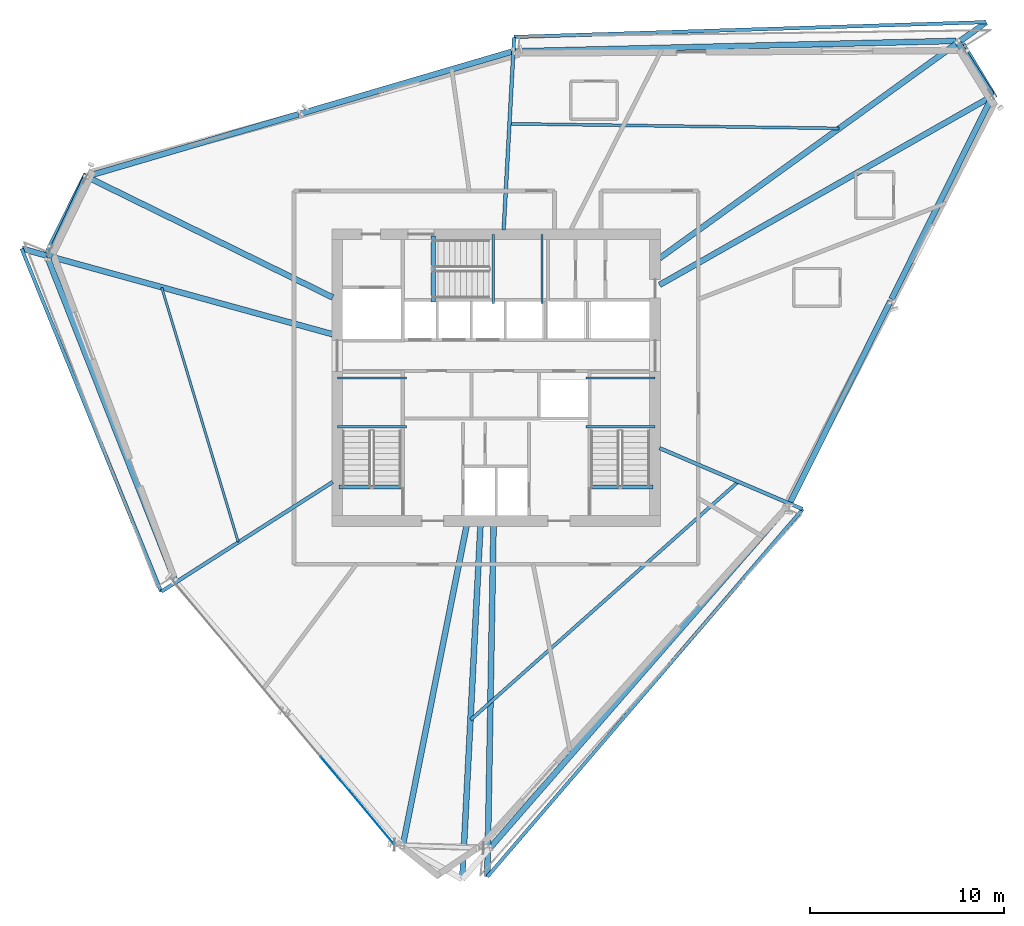
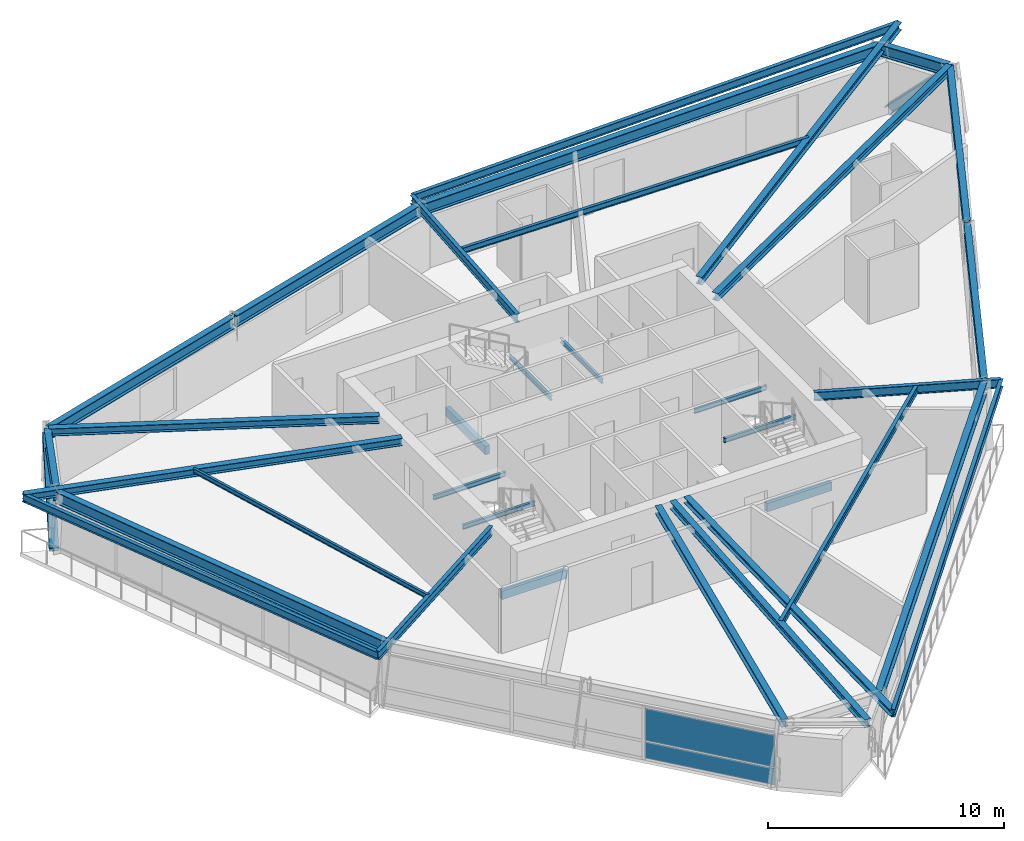
# One storey, part 5 of 15: 34 beams, 2 members, 2 plates, 1 element without a shape of its own.
"""IFC4 building model written with IfcOpenShell, lengths in metres."""

from ifc_helpers import new_model, si_unit, direction, frame, origin, origin_2d, place, context, subcontext, project, spatial, rectangle, i_section, extrude, source, transform, mapped, material, material_profile, profile_set, type_object, element, aggregate, save


model = new_model("IFC4")

# Units and contexts
model_context = context("Model", 3, precision=1e-05, world=origin(), true_north=direction((0.0, 1.0)))
body_context = subcontext(model_context, "Body", "Model", "MODEL_VIEW")
ifc_project = project(units=[si_unit("LENGTHUNIT", "METRE"), si_unit("AREAUNIT", "SQUARE_METRE"), si_unit("VOLUMEUNIT", "CUBIC_METRE"), si_unit("PLANEANGLEUNIT", "RADIAN"), si_unit("MASSUNIT", "GRAM", prefix="KILO")], contexts=[model_context])

# Site, building, storey
site_placement = place(None, origin())
site = spatial("IfcSite", under=ifc_project, at=site_placement, CompositionType="ELEMENT")
building_placement = place(site_placement, origin())
building = spatial("IfcBuilding", under=site, at=building_placement, Name="Olszyna Solenne Hotel", CompositionType="ELEMENT")
storey_placement = place(building_placement, frame((0.0, 0.0, 164.35009765625)))
storey = spatial("IfcBuildingStorey", under=building, at=storey_placement, Name="L43", CompositionType="ELEMENT", Elevation=164.35009765625)

# Beams
ifc_material_1 = material(Name="Steel S355J2", Category="steel")
ifc_material_profile_1 = material_profile(ifc_material_1, i_section(OverallWidth=0.300048828125, OverallDepth=0.389892578125, WebThickness=0.010986328125, FlangeThickness=0.01904296875, at=origin_2d()), Name="HEA 400", Category="load-bearing")
ifc_profile_set_1 = profile_set([ifc_material_profile_1], Name="Steel S355J2")
beam_type_1 = type_object("IfcBeamType", Name="BM-G2", PredefinedType="BEAM", material=ifc_profile_set_1)
shared_shape_1 = source(origin(), body_context, "Body", "SweptSolid", [
    extrude(i_section(OverallWidth=0.300048828125, OverallDepth=0.389892578125, WebThickness=0.010986328125, FlangeThickness=0.01904296875, at=origin_2d()), origin(), (0.0, 0.0, 1.0), 16.580810546875),
])
beam_1_placement = place(storey_placement, frame((13.6123046875, 33.22900390625, 3.135009765625), z_axis=(0.964132796077, -0.265420329909, 0.0), x_axis=(0.265420329909, 0.964132796077, 0.0)))
element("IfcBeam", 1, at=beam_1_placement, inside=storey, type_object=beam_type_1, Name="Radial floor girder BM-G2 B-L43-1290", PredefinedType="BEAM", context=body_context, shape_type="MappedRepresentation", body=[
    mapped(shared_shape_1, transform((0.0, 0.0, 0.0), x_axis=(1.0, 0.0, 0.0), y_axis=(0.0, 1.0, 0.0), z_axis=(0.0, 0.0, 1.0), scale=1.0)),
])
ifc_material_profile_2 = material_profile(ifc_material_1, i_section(OverallWidth=0.300048828125, OverallDepth=0.60009765625, WebThickness=0.015380859375, FlangeThickness=0.030029296875, at=origin_2d()), Name="HEB 600", Category="load-bearing")
ifc_profile_set_2 = profile_set([ifc_material_profile_2], Name="Steel S355J2")
beam_type_2 = type_object("IfcBeamType", Name="BM-S2", PredefinedType="BEAM", material=ifc_profile_set_2)
shared_shape_2 = source(origin(), body_context, "Body", "SweptSolid", [
    extrude(i_section(OverallWidth=0.300048828125, OverallDepth=0.60009765625, WebThickness=0.015380859375, FlangeThickness=0.030029296875, at=origin_2d()), origin(), (0.0, 0.0, 1.0), 3.247314453125),
])
beam_2_placement = place(storey_placement, frame((63.494140625, 41.1328125, 3.02978515625), z_axis=(-0.538003628885, 0.842942521947, 0.0), x_axis=(-0.842942521947, -0.538003628885, 0.0)))
element("IfcBeam", 2, at=beam_2_placement, inside=storey, type_object=beam_type_2, Name="Perimeter spandrel beam BM-S2 B-L43-1274", PredefinedType="BEAM", context=body_context, shape_type="MappedRepresentation", body=[
    mapped(shared_shape_2, transform((0.0, 0.0, 0.0), x_axis=(1.0, 0.0, 0.0), y_axis=(0.0, 1.0, 0.0), z_axis=(0.0, 0.0, 1.0), scale=1.0)),
])
shared_shape_3 = source(origin(), body_context, "Body", "SweptSolid", [
    extrude(i_section(OverallWidth=0.300048828125, OverallDepth=0.60009765625, WebThickness=0.015380859375, FlangeThickness=0.030029296875, at=origin_2d()), origin(), (0.0, 0.0, 1.0), 22.742919921875),
])
beam_3_placement = place(storey_placement, frame((61.65478515625, 43.919189453125, 3.02978515625), z_axis=(-0.999721090207, -0.023616557661, 0.0), x_axis=(0.023616557661, -0.999721090207, 0.0)))
element("IfcBeam", 3, at=beam_3_placement, inside=storey, type_object=beam_type_2, Name="Perimeter spandrel beam BM-S2 B-L43-1275", PredefinedType="BEAM", context=body_context, shape_type="MappedRepresentation", body=[
    mapped(shared_shape_3, transform((0.0, 0.0, 0.0), x_axis=(1.0, 0.0, 0.0), y_axis=(0.0, 1.0, 0.0), z_axis=(0.0, 0.0, 1.0), scale=1.0)),
])
shared_shape_4 = source(origin(), body_context, "Body", "SweptSolid", [
    extrude(i_section(OverallWidth=0.300048828125, OverallDepth=0.60009765625, WebThickness=0.015380859375, FlangeThickness=0.030029296875, at=origin_2d()), origin(), (0.0, 0.0, 1.0), 11.3115234375),
])
beam_4_placement = place(storey_placement, frame((38.800537109375, 43.364013671875, 3.02978515625), z_axis=(-0.959538195825, -0.281578498386, 0.0), x_axis=(0.281578498386, -0.959538195825, 0.0)))
element("IfcBeam", 4, at=beam_4_placement, inside=storey, type_object=beam_type_2, Name="Perimeter spandrel beam BM-S2 B-L43-1276", PredefinedType="BEAM", context=body_context, shape_type="MappedRepresentation", body=[
    mapped(shared_shape_4, transform((0.0, 0.0, 0.0), x_axis=(1.0, 0.0, 0.0), y_axis=(0.0, 1.0, 0.0), z_axis=(0.0, 0.0, 1.0), scale=1.0)),
])
shared_shape_5 = source(origin(), body_context, "Body", "SweptSolid", [
    extrude(i_section(OverallWidth=0.300048828125, OverallDepth=0.60009765625, WebThickness=0.015380859375, FlangeThickness=0.030029296875, at=origin_2d()), origin(), (0.0, 0.0, 1.0), 11.311279296875),
])
beam_5_placement = place(storey_placement, frame((27.83154296875, 40.14501953125, 3.02978515625), z_axis=(-0.959544027203, -0.281558625973, 0.0), x_axis=(0.281558625973, -0.959544027203, 0.0)))
element("IfcBeam", 5, at=beam_5_placement, inside=storey, type_object=beam_type_2, Name="Perimeter spandrel beam BM-S2 B-L43-1277", PredefinedType="BEAM", context=body_context, shape_type="MappedRepresentation", body=[
    mapped(shared_shape_5, transform((0.0, 0.0, 0.0), x_axis=(1.0, 0.0, 0.0), y_axis=(0.0, 1.0, 0.0), z_axis=(0.0, 0.0, 1.0), scale=1.0)),
])
shared_shape_6 = source(origin(), body_context, "Body", "SweptSolid", [
    extrude(i_section(OverallWidth=0.300048828125, OverallDepth=0.60009765625, WebThickness=0.015380859375, FlangeThickness=0.030029296875, at=origin_2d()), origin(), (0.0, 0.0, 1.0), 4.54736328125),
])
beam_6_placement = place(storey_placement, frame((16.89501953125, 36.888916015625, 3.02978515625), z_axis=(-0.422585646283, -0.90632299516, 0.0), x_axis=(0.90632299516, -0.422585646283, 0.0)))
element("IfcBeam", 6, at=beam_6_placement, inside=storey, type_object=beam_type_2, Name="Perimeter spandrel beam BM-S2 B-L43-1278", PredefinedType="BEAM", context=body_context, shape_type="MappedRepresentation", body=[
    mapped(shared_shape_6, transform((0.0, 0.0, 0.0), x_axis=(1.0, 0.0, 0.0), y_axis=(0.0, 1.0, 0.0), z_axis=(0.0, 0.0, 1.0), scale=1.0)),
])
shared_shape_7 = source(origin(), body_context, "Body", "SweptSolid", [
    extrude(i_section(OverallWidth=0.300048828125, OverallDepth=0.60009765625, WebThickness=0.015380859375, FlangeThickness=0.030029296875, at=origin_2d()), origin(), (0.0, 0.0, 1.0), 17.770263671875),
])
beam_7_placement = place(storey_placement, frame((14.97021484375, 32.657470703125, 3.02978515625), z_axis=(0.367277265084, -0.930111504365, 0.0), x_axis=(0.930111504365, 0.367277265084, 0.0)))
element("IfcBeam", 7, at=beam_7_placement, inside=storey, type_object=beam_type_2, Name="Perimeter spandrel beam BM-S2 B-L43-1279", PredefinedType="BEAM", context=body_context, shape_type="MappedRepresentation", body=[
    mapped(shared_shape_7, transform((0.0, 0.0, 0.0), x_axis=(1.0, 0.0, 0.0), y_axis=(0.0, 1.0, 0.0), z_axis=(0.0, 0.0, 1.0), scale=1.0)),
])
shared_shape_8 = source(origin(), body_context, "Body", "SweptSolid", [
    extrude(i_section(OverallWidth=0.300048828125, OverallDepth=0.60009765625, WebThickness=0.015380859375, FlangeThickness=0.030029296875, at=origin_2d()), origin(), (0.0, 0.0, 1.0), 23.320556640625),
])
beam_8_placement = place(storey_placement, frame((37.73193359375, 2.464599609375, 3.02978515625), z_axis=(0.656911125072, 0.753968019055, 0.0), x_axis=(-0.753968019055, 0.656911125072, 0.0)))
element("IfcBeam", 8, at=beam_8_placement, inside=storey, type_object=beam_type_2, Name="Perimeter spandrel beam BM-S2 B-L43-1283", PredefinedType="BEAM", context=body_context, shape_type="MappedRepresentation", body=[
    mapped(shared_shape_8, transform((0.0, 0.0, 0.0), x_axis=(1.0, 0.0, 0.0), y_axis=(0.0, 1.0, 0.0), z_axis=(0.0, 0.0, 1.0), scale=1.0)),
])
shared_shape_9 = source(origin(), body_context, "Body", "SweptSolid", [
    extrude(i_section(OverallWidth=0.300048828125, OverallDepth=0.60009765625, WebThickness=0.015380859375, FlangeThickness=0.030029296875, at=origin_2d()), origin(), (0.0, 0.0, 1.0), 11.60009765625),
])
beam_9_placement = place(storey_placement, frame((53.11767578125, 20.146484375, 3.02978515625), z_axis=(0.445192011382, 0.895435130538, 0.0), x_axis=(-0.895435130538, 0.445192011382, 0.0)))
element("IfcBeam", 9, at=beam_9_placement, inside=storey, type_object=beam_type_2, Name="Perimeter spandrel beam BM-S2 B-L43-1284", PredefinedType="BEAM", context=body_context, shape_type="MappedRepresentation", body=[
    mapped(shared_shape_9, transform((0.0, 0.0, 0.0), x_axis=(1.0, 0.0, 0.0), y_axis=(0.0, 1.0, 0.0), z_axis=(0.0, 0.0, 1.0), scale=1.0)),
])
shared_shape_10 = source(origin(), body_context, "Body", "SweptSolid", [
    extrude(i_section(OverallWidth=0.300048828125, OverallDepth=0.60009765625, WebThickness=0.015380859375, FlangeThickness=0.030029296875, at=origin_2d()), origin(), (0.0, 0.0, 1.0), 11.600341796875),
])
beam_10_placement = place(storey_placement, frame((58.33544921875, 30.64111328125, 3.02978515625), z_axis=(0.445183621619, 0.895439301707, 0.0), x_axis=(-0.895439301707, 0.445183621619, 0.0)))
element("IfcBeam", 10, at=beam_10_placement, inside=storey, type_object=beam_type_2, Name="Perimeter spandrel beam BM-S2 B-L43-1285", PredefinedType="BEAM", context=body_context, shape_type="MappedRepresentation", body=[
    mapped(shared_shape_10, transform((0.0, 0.0, 0.0), x_axis=(1.0, 0.0, 0.0), y_axis=(0.0, 1.0, 0.0), z_axis=(0.0, 0.0, 1.0), scale=1.0)),
])
shared_shape_11 = source(origin(), body_context, "Body", "SweptSolid", [
    extrude(i_section(OverallWidth=0.300048828125, OverallDepth=0.389892578125, WebThickness=0.010986328125, FlangeThickness=0.01904296875, at=origin_2d()), origin(), (0.0, 0.0, 1.0), 19.623291015625),
])
beam_11_placement = place(storey_placement, frame((63.474365234375, 41.052490234375, 3.135009765625), z_axis=(-0.869774818977, -0.493448846664, 0.0), x_axis=(0.493448846664, -0.869774818977, 0.0)))
element("IfcBeam", 11, at=beam_11_placement, inside=storey, type_object=beam_type_1, Name="Radial floor girder BM-G2 B-L43-1286", PredefinedType="BEAM", context=body_context, shape_type="MappedRepresentation", body=[
    mapped(shared_shape_11, transform((0.0, 0.0, 0.0), x_axis=(1.0, 0.0, 0.0), y_axis=(0.0, 1.0, 0.0), z_axis=(0.0, 0.0, 1.0), scale=1.0)),
])
shared_shape_12 = source(origin(), body_context, "Body", "SweptSolid", [
    extrude(i_section(OverallWidth=0.300048828125, OverallDepth=0.389892578125, WebThickness=0.010986328125, FlangeThickness=0.01904296875, at=origin_2d()), origin(), (0.0, 0.0, 1.0), 20.710693359375),
])
beam_12_placement = place(storey_placement, frame((63.195068359375, 44.874267578125, 3.135009765625), z_axis=(-0.810466248011, -0.585785336821, 0.0), x_axis=(0.585785336821, -0.810466248011, 0.0)))
element("IfcBeam", 12, at=beam_12_placement, inside=storey, type_object=beam_type_1, Name="Radial floor girder BM-G2 B-L43-1287", PredefinedType="BEAM", context=body_context, shape_type="MappedRepresentation", body=[
    mapped(shared_shape_12, transform((0.0, 0.0, 0.0), x_axis=(1.0, 0.0, 0.0), y_axis=(0.0, 1.0, 0.0), z_axis=(0.0, 0.0, 1.0), scale=1.0)),
])
ifc_material_profile_3 = material_profile(ifc_material_1, i_section(OverallWidth=0.18994140625, OverallDepth=0.449951171875, WebThickness=0.009521484375, FlangeThickness=0.0146484375, at=origin_2d()), Name="IPE 450", Category="load-bearing")
ifc_profile_set_3 = profile_set([ifc_material_profile_3], Name="Steel S355J2")
beam_type_3 = type_object("IfcBeamType", Name="BM-F4", PredefinedType="BEAM", material=ifc_profile_set_3)
shared_shape_13 = source(origin(), body_context, "Body", "SweptSolid", [
    extrude(i_section(OverallWidth=0.18994140625, OverallDepth=0.449951171875, WebThickness=0.009521484375, FlangeThickness=0.0146484375, at=origin_2d()), origin(), (0.0, 0.0, 1.0), 9.91845703125),
])
beam_13_placement = place(storey_placement, frame((38.927734375, 44.10400390625, 3.10498046875), z_axis=(-0.054349369754, -0.998521980733, 0.0), x_axis=(0.998521980733, -0.054349369754, 0.0)))
element("IfcBeam", 13, at=beam_13_placement, inside=storey, type_object=beam_type_3, Name="Radial floor girder BM-F4 B-L43-1288", PredefinedType="BEAM", context=body_context, shape_type="MappedRepresentation", body=[
    mapped(shared_shape_13, transform((0.0, 0.0, 0.0), x_axis=(1.0, 0.0, 0.0), y_axis=(0.0, 1.0, 0.0), z_axis=(0.0, 0.0, 1.0), scale=1.0)),
])
shared_shape_14 = source(origin(), body_context, "Body", "SweptSolid", [
    extrude(i_section(OverallWidth=0.300048828125, OverallDepth=0.389892578125, WebThickness=0.010986328125, FlangeThickness=0.01904296875, at=origin_2d()), origin(), (0.0, 0.0, 1.0), 14.058349609375),
])
beam_14_placement = place(storey_placement, frame((16.97412109375, 36.916748046875, 3.135009765625), z_axis=(0.897753777522, -0.440497621952, 0.0), x_axis=(0.440497621952, 0.897753777522, 0.0)))
element("IfcBeam", 14, at=beam_14_placement, inside=storey, type_object=beam_type_1, Name="Radial floor girder BM-G2 B-L43-1289", PredefinedType="BEAM", context=body_context, shape_type="MappedRepresentation", body=[
    mapped(shared_shape_14, transform((0.0, 0.0, 0.0), x_axis=(1.0, 0.0, 0.0), y_axis=(0.0, 1.0, 0.0), z_axis=(0.0, 0.0, 1.0), scale=1.0)),
])
shared_shape_15 = source(origin(), body_context, "Body", "SweptSolid", [
    extrude(i_section(OverallWidth=0.18994140625, OverallDepth=0.449951171875, WebThickness=0.009521484375, FlangeThickness=0.0146484375, at=origin_2d()), origin(), (0.0, 0.0, 1.0), 10.44970703125),
])
beam_15_placement = place(storey_placement, frame((20.787353515625, 15.6015625, 3.10498046875), z_axis=(0.842567860267, 0.538590197502, 0.0), x_axis=(-0.538590197502, 0.842567860267, 0.0)))
element("IfcBeam", 15, at=beam_15_placement, inside=storey, type_object=beam_type_3, Name="Radial floor girder BM-F4 B-L43-1291", PredefinedType="BEAM", context=body_context, shape_type="MappedRepresentation", body=[
    mapped(shared_shape_15, transform((0.0, 0.0, 0.0), x_axis=(1.0, 0.0, 0.0), y_axis=(0.0, 1.0, 0.0), z_axis=(0.0, 0.0, 1.0), scale=1.0)),
])
shared_shape_16 = source(origin(), body_context, "Body", "SweptSolid", [
    extrude(i_section(OverallWidth=0.300048828125, OverallDepth=0.389892578125, WebThickness=0.010986328125, FlangeThickness=0.01904296875, at=origin_2d()), origin(), (0.0, 0.0, 1.0), 16.7421875),
])
beam_16_placement = place(storey_placement, frame((33.209716796875, 2.580078125, 3.135009765625), z_axis=(0.195577682534, 0.980688212479, 0.0), x_axis=(-0.980688212479, 0.195577682534, 0.0)))
element("IfcBeam", 16, at=beam_16_placement, inside=storey, type_object=beam_type_1, Name="Radial floor girder BM-G2 B-L43-1292", PredefinedType="BEAM", context=body_context, shape_type="MappedRepresentation", body=[
    mapped(shared_shape_16, transform((0.0, 0.0, 0.0), x_axis=(1.0, 0.0, 0.0), y_axis=(0.0, 1.0, 0.0), z_axis=(0.0, 0.0, 1.0), scale=1.0)),
])
shared_shape_17 = source(origin(), body_context, "Body", "SweptSolid", [
    extrude(i_section(OverallWidth=0.300048828125, OverallDepth=0.389892578125, WebThickness=0.010986328125, FlangeThickness=0.01904296875, at=origin_2d()), origin(), (0.0, 0.0, 1.0), 18.203857421875),
])
beam_17_placement = place(storey_placement, frame((36.2587890625, 0.820068359375, 3.135009765625), z_axis=(0.051446607266, 0.998675746477, 0.0), x_axis=(-0.998675746477, 0.051446607266, 0.0)))
element("IfcBeam", 17, at=beam_17_placement, inside=storey, type_object=beam_type_1, Name="Radial floor girder BM-G2 B-L43-1293", PredefinedType="BEAM", context=body_context, shape_type="MappedRepresentation", body=[
    mapped(shared_shape_17, transform((0.0, 0.0, 0.0), x_axis=(1.0, 0.0, 0.0), y_axis=(0.0, 1.0, 0.0), z_axis=(0.0, 0.0, 1.0), scale=1.0)),
])
shared_shape_18 = source(origin(), body_context, "Body", "SweptSolid", [
    extrude(i_section(OverallWidth=0.18994140625, OverallDepth=0.449951171875, WebThickness=0.009521484375, FlangeThickness=0.0146484375, at=origin_2d()), origin(), (0.0, 0.0, 1.0), 7.987548828125),
])
beam_18_placement = place(storey_placement, frame((53.750244140625, 19.840087890625, 3.10498046875), z_axis=(-0.919705336492, 0.392609340221, 0.0), x_axis=(-0.392609340221, -0.919705336492, 0.0)))
element("IfcBeam", 18, at=beam_18_placement, inside=storey, type_object=beam_type_3, Name="Radial floor girder BM-F4 B-L43-1294", PredefinedType="BEAM", context=body_context, shape_type="MappedRepresentation", body=[
    mapped(shared_shape_18, transform((0.0, 0.0, 0.0), x_axis=(1.0, 0.0, 0.0), y_axis=(0.0, 1.0, 0.0), z_axis=(0.0, 0.0, 1.0), scale=1.0)),
])
ifc_material_profile_4 = material_profile(ifc_material_1, i_section(OverallWidth=0.300048828125, OverallDepth=0.31005859375, WebThickness=0.009033203125, FlangeThickness=0.015380859375, at=origin_2d()), Name="HEA 320", Category="load-bearing")
ifc_profile_set_4 = profile_set([ifc_material_profile_4], Name="Steel S355J2")
beam_type_4 = type_object("IfcBeamType", Name="BM-G3", PredefinedType="BEAM", material=ifc_profile_set_4)
shared_shape_19 = source(origin(), body_context, "Body", "SweptSolid", [
    extrude(i_section(OverallWidth=0.300048828125, OverallDepth=0.31005859375, WebThickness=0.009033203125, FlangeThickness=0.015380859375, at=origin_2d()), origin(), (0.0, 0.0, 1.0), 18.069580078125),
])
beam_19_placement = place(storey_placement, frame((37.55078125, 0.93310546875, 3.1748046875), z_axis=(0.017496848185, 0.999846918435, 0.0), x_axis=(-0.999846918435, 0.017496848185, 0.0)))
element("IfcBeam", 19, at=beam_19_placement, inside=storey, type_object=beam_type_4, Name="Loggia/prism radial back-span girder BM-G3 B-L43-1297", PredefinedType="BEAM", context=body_context, shape_type="MappedRepresentation", body=[
    mapped(shared_shape_19, transform((0.0, 0.0, 0.0), x_axis=(1.0, 0.0, 0.0), y_axis=(0.0, 1.0, 0.0), z_axis=(0.0, 0.0, 1.0), scale=1.0)),
])
ifc_material_profile_5 = material_profile(ifc_material_1, i_section(OverallWidth=0.14990234375, OverallDepth=0.300048828125, WebThickness=0.007080078125, FlangeThickness=0.0107421875, at=origin_2d()), Name="IPE 300", Category="load-bearing")
ifc_profile_set_5 = profile_set([ifc_material_profile_5], Name="Steel S355J2")
beam_type_5 = type_object("IfcBeamType", Name="JS-02", PredefinedType="JOIST", material=ifc_profile_set_5)
shared_shape_20 = source(origin(), body_context, "Body", "SweptSolid", [
    extrude(i_section(OverallWidth=0.14990234375, OverallDepth=0.300048828125, WebThickness=0.007080078125, FlangeThickness=0.0107421875, at=origin_2d()), origin(), (0.0, 0.0, 1.0), 16.926513671875),
])
beam_20_placement = place(storey_placement, frame((55.630615234375, 39.42138671875, 3.179931640625), z_axis=(-0.999902324263, 0.013976477875, 0.0), x_axis=(-0.013976477875, -0.999902324263, 0.0)))
element("IfcBeam", 20, at=beam_20_placement, inside=storey, type_object=beam_type_5, Name="Secondary composite floor joist JS-02 B-L43-1298", PredefinedType="JOIST", context=body_context, shape_type="MappedRepresentation", body=[
    mapped(shared_shape_20, transform((0.0, 0.0, 0.0), x_axis=(1.0, 0.0, 0.0), y_axis=(0.0, 1.0, 0.0), z_axis=(0.0, 0.0, 1.0), scale=1.0)),
])
ifc_material_profile_6 = material_profile(ifc_material_1, i_section(OverallWidth=0.1201171875, OverallDepth=0.239990234375, WebThickness=0.006103515625, FlangeThickness=0.009765625, at=origin_2d()), Name="IPE 240", Category="load-bearing")
ifc_profile_set_6 = profile_set([ifc_material_profile_6], Name="Steel S355J2")
beam_type_6 = type_object("IfcBeamType", Name="JS-03", PredefinedType="JOIST", material=ifc_profile_set_6)
shared_shape_21 = source(origin(), body_context, "Body", "SweptSolid", [
    extrude(i_section(OverallWidth=0.1201171875, OverallDepth=0.239990234375, WebThickness=0.006103515625, FlangeThickness=0.009765625, at=origin_2d()), origin(), (0.0, 0.0, 1.0), 13.6630859375),
])
beam_21_placement = place(storey_placement, frame((20.80126953125, 31.232421875, 3.2099609375), z_axis=(0.287864231901, -0.957671229594, 0.0), x_axis=(0.957671229594, 0.287864231901, 0.0)))
element("IfcBeam", 21, at=beam_21_placement, inside=storey, type_object=beam_type_6, Name="Secondary composite floor joist JS-03 B-L43-1299", PredefinedType="JOIST", context=body_context, shape_type="MappedRepresentation", body=[
    mapped(shared_shape_21, transform((0.0, 0.0, 0.0), x_axis=(1.0, 0.0, 0.0), y_axis=(0.0, 1.0, 0.0), z_axis=(0.0, 0.0, 1.0), scale=1.0)),
])
ifc_material_profile_7 = material_profile(ifc_material_1, i_section(OverallWidth=0.169921875, OverallDepth=0.360107421875, WebThickness=0.008056640625, FlangeThickness=0.0126953125, at=origin_2d()), Name="IPE 360", Category="load-bearing")
ifc_profile_set_7 = profile_set([ifc_material_profile_7], Name="Steel S355J2")
beam_type_7 = type_object("IfcBeamType", Name="JS-01", PredefinedType="JOIST", material=ifc_profile_set_7)
shared_shape_22 = source(origin(), body_context, "Body", "SweptSolid", [
    extrude(i_section(OverallWidth=0.169921875, OverallDepth=0.360107421875, WebThickness=0.008056640625, FlangeThickness=0.0126953125, at=origin_2d()), origin(), (0.0, 0.0, 1.0), 18.398681640625),
])
beam_22_placement = place(storey_placement, frame((36.694580078125, 9.003173828125, 3.14990234375), z_axis=(0.747069523295, 0.664745911882, 0.0), x_axis=(-0.664745911882, 0.747069523295, 0.0)))
element("IfcBeam", 22, at=beam_22_placement, inside=storey, type_object=beam_type_7, Name="Secondary composite floor joist JS-01 B-L43-1300", PredefinedType="JOIST", context=body_context, shape_type="MappedRepresentation", body=[
    mapped(shared_shape_22, transform((0.0, 0.0, 0.0), x_axis=(1.0, 0.0, 0.0), y_axis=(0.0, 1.0, 0.0), z_axis=(0.0, 0.0, 1.0), scale=1.0)),
])
ifc_material_profile_8 = material_profile(ifc_material_1, i_section(OverallWidth=0.179931640625, OverallDepth=0.39990234375, WebThickness=0.008544921875, FlangeThickness=0.013427734375, at=origin_2d()), Name="IPE 400", Category="load-bearing")
ifc_profile_set_8 = profile_set([ifc_material_profile_8], Name="Steel S355J2")
beam_type_8 = type_object("IfcBeamType", Name="BM-F5", PredefinedType="BEAM", material=ifc_profile_set_8)
shared_shape_23 = source(origin(), body_context, "Body", "SweptSolid", [
    extrude(i_section(OverallWidth=0.179931640625, OverallDepth=0.39990234375, WebThickness=0.008544921875, FlangeThickness=0.013427734375, at=origin_2d()), origin(), (0.0, 0.0, 1.0), 24.294189453125),
])
beam_23_placement = place(storey_placement, frame((63.211181640625, 44.885986328125, 3.1298828125), z_axis=(-0.999508028382, -0.031364011226, 0.0), x_axis=(0.031364011226, -0.999508028382, 0.0)))
element("IfcBeam", 23, at=beam_23_placement, inside=storey, type_object=beam_type_8, Name="Loggia outer edge beam BM-F5 B-L43-1301", PredefinedType="BEAM", context=body_context, shape_type="MappedRepresentation", body=[
    mapped(shared_shape_23, transform((0.0, 0.0, 0.0), x_axis=(1.0, 0.0, 0.0), y_axis=(0.0, 1.0, 0.0), z_axis=(0.0, 0.0, 1.0), scale=1.0)),
])
shared_shape_24 = source(origin(), body_context, "Body", "SweptSolid", [
    extrude(i_section(OverallWidth=0.179931640625, OverallDepth=0.39990234375, WebThickness=0.008544921875, FlangeThickness=0.013427734375, at=origin_2d()), origin(), (0.0, 0.0, 1.0), 19.047607421875),
])
beam_24_placement = place(storey_placement, frame((13.593017578125, 33.234375, 3.1298828125), z_axis=(0.376818446744, -0.926287135932, 0.0), x_axis=(0.926287135932, 0.376818446744, 0.0)))
element("IfcBeam", 24, at=beam_24_placement, inside=storey, type_object=beam_type_8, Name="Loggia outer edge beam BM-F5 B-L43-1302", PredefinedType="BEAM", context=body_context, shape_type="MappedRepresentation", body=[
    mapped(shared_shape_24, transform((0.0, 0.0, 0.0), x_axis=(1.0, 0.0, 0.0), y_axis=(0.0, 1.0, 0.0), z_axis=(0.0, 0.0, 1.0), scale=1.0)),
])
shared_shape_25 = source(origin(), body_context, "Body", "SweptSolid", [
    extrude(i_section(OverallWidth=0.179931640625, OverallDepth=0.39990234375, WebThickness=0.008544921875, FlangeThickness=0.013427734375, at=origin_2d()), origin(), (0.0, 0.0, 1.0), 24.903564453125),
])
beam_25_placement = place(storey_placement, frame((37.55078125, 0.93310546875, 3.1298828125), z_axis=(0.651224003855, 0.758885562389, 0.0), x_axis=(-0.758885562389, 0.651224003855, 0.0)))
element("IfcBeam", 25, at=beam_25_placement, inside=storey, type_object=beam_type_8, Name="Loggia outer edge beam BM-F5 B-L43-1303", PredefinedType="BEAM", context=body_context, shape_type="MappedRepresentation", body=[
    mapped(shared_shape_25, transform((0.0, 0.0, 0.0), x_axis=(1.0, 0.0, 0.0), y_axis=(0.0, 1.0, 0.0), z_axis=(0.0, 0.0, 1.0), scale=1.0)),
])

# Members
ifc_material_2 = material(Name="Steel S460M", Category="steel")
ifc_material_profile_9 = material_profile(ifc_material_2, i_section(OverallWidth=0.406005859375, OverallDepth=0.416015625, WebThickness=0.026611328125, FlangeThickness=0.04150390625, at=origin_2d()), Name="HD 400x382", Category="load-bearing")
ifc_profile_set_9 = profile_set([ifc_material_profile_9], Name="Steel S460M")
member_type = type_object("IfcMemberType", Name="BR-T2", PredefinedType="BRACE", material=ifc_profile_set_9)
shared_shape_26 = source(origin(), body_context, "Body", "SweptSolid", [
    extrude(i_section(OverallWidth=0.406005859375, OverallDepth=0.416015625, WebThickness=0.026611328125, FlangeThickness=0.04150390625, at=origin_2d()), origin(), (0.0, 0.0, 1.0), 4.183837890625),
])
member_1_placement = place(storey_placement, frame((62.010986328125, 43.585693359375, 0.010009765625), z_axis=(0.362259559247, -0.598358492351, 0.71465734892), x_axis=(0.855439777209, 0.517902295388, 0.0)))
element("IfcMember", 26, at=member_1_placement, inside=storey, type_object=member_type, Name="Perimeter braced-tube diagonal BR-T2 BR-L43-1", PredefinedType="BRACE", context=body_context, shape_type="MappedRepresentation", body=[
    mapped(shared_shape_26, transform((0.0, 0.0, 0.0), x_axis=(1.0, 0.0, 0.0), y_axis=(0.0, 1.0, 0.0), z_axis=(0.0, 0.0, 1.0), scale=1.0)),
])
shared_shape_27 = source(origin(), body_context, "Body", "SweptSolid", [
    extrude(i_section(OverallWidth=0.406005859375, OverallDepth=0.416015625, WebThickness=0.026611328125, FlangeThickness=0.04150390625, at=origin_2d()), origin(), (0.0, 0.0, 1.0), 5.261962890625),
])
member_2_placement = place(storey_placement, frame((15.00439453125, 33.060302734375, 0.010009765625), z_axis=(0.364131319006, 0.737913417108, 0.568236017312), x_axis=(-0.8967605392, 0.442516141326, 0.0)))
element("IfcMember", 27, at=member_2_placement, inside=storey, type_object=member_type, Name="Perimeter braced-tube diagonal BR-T2 BR-L43-2", PredefinedType="BRACE", context=body_context, shape_type="MappedRepresentation", body=[
    mapped(shared_shape_27, transform((0.0, 0.0, 0.0), x_axis=(1.0, 0.0, 0.0), y_axis=(0.0, 1.0, 0.0), z_axis=(0.0, 0.0, 1.0), scale=1.0)),
])

# Beams
shared_shape_28 = source(origin(), body_context, "Body", "SweptSolid", [
    extrude(i_section(OverallWidth=0.1201171875, OverallDepth=0.239990234375, WebThickness=0.006103515625, FlangeThickness=0.009765625, at=origin_2d()), origin(), (0.0, 0.0, 1.0), 3.539794921875),
])
for number, where, z_axis, x_axis, name in (
    (28, (33.3798828125, 24.070068359375, 1.449951171875), (-1.0, 0.0, 0.0), (0.0, -1.0, 0.0), "Stair landing support beam JS-03 SLB-ST1-0091"),
    (29, (33.3798828125, 26.580078125, 1.449951171875), (-1.0, 0.0, 0.0), (0.0, -1.0, 0.0), "Stair landing support beam JS-03 SLB-ST1-0092"),
    (30, (46.159912109375, 24.070068359375, 1.449951171875), (-1.0, 0.0, 0.0), (0.0, -1.0, 0.0), "Stair landing support beam JS-03 SLB-ST2-0331"),
    (31, (46.159912109375, 26.580078125, 1.449951171875), (-1.0, 0.0, 0.0), (0.0, -1.0, 0.0), "Stair landing support beam JS-03 SLB-ST2-0332"),
):
    element("IfcBeam", number, at=place(storey_placement, frame(where, z_axis=z_axis, x_axis=x_axis)), inside=storey, type_object=beam_type_6, Name=name, PredefinedType="JOIST", context=body_context, shape_type="MappedRepresentation", body=[
        mapped(shared_shape_28, transform((0.0, 0.0, 0.0), x_axis=(1.0, 0.0, 0.0), y_axis=(0.0, 1.0, 0.0), z_axis=(0.0, 0.0, 1.0), scale=1.0)),
    ])
ifc_material_3 = material(Name="Concrete C50/60", Category="concrete")
ifc_material_profile_10 = material_profile(ifc_material_3, rectangle(XDim=0.219970703125, YDim=0.43994140625, at=origin_2d()), Name="RC 220x440", Category="load-bearing")
ifc_profile_set_10 = profile_set([ifc_material_profile_10], Name="Concrete C50/60")
beam_type_9 = type_object("IfcBeamType", Name="BM-ST1", PredefinedType="BEAM", material=ifc_profile_set_10)
shared_shape_29 = source(origin(), body_context, "Body", "SweptSolid", [
    extrude(rectangle(XDim=0.219970703125, YDim=0.43994140625, at=origin_2d()), origin(), (0.0, 0.0, 1.0), 3.18017578125),
])
for number, where, z_axis, x_axis, name in (
    (32, (33.10009765625, 20.97998046875, -0.205078125), (-1.0, 0.0, 0.0), (0.0, -1.0, 0.0), "Concrete stair trimmer beam BM-ST1 SHB-ST1-0205"),
    (33, (46.080078125, 20.97998046875, -0.205078125), (-1.0, 0.0, 0.0), (0.0, -1.0, 0.0), "Concrete stair trimmer beam BM-ST1 SHB-ST2-0445"),
):
    element("IfcBeam", number, at=place(storey_placement, frame(where, z_axis=z_axis, x_axis=x_axis)), inside=storey, type_object=beam_type_9, Name=name, PredefinedType="BEAM", context=body_context, shape_type="MappedRepresentation", body=[
        mapped(shared_shape_29, transform((0.0, 0.0, 0.0), x_axis=(1.0, 0.0, 0.0), y_axis=(0.0, 1.0, 0.0), z_axis=(0.0, 0.0, 1.0), scale=1.0)),
    ])
shared_shape_30 = source(origin(), body_context, "Body", "SweptSolid", [
    extrude(i_section(OverallWidth=0.1201171875, OverallDepth=0.239990234375, WebThickness=0.006103515625, FlangeThickness=0.009765625, at=origin_2d()), origin(), (0.0, 0.0, 1.0), 3.5400390625),
])
for number, where, z_axis, x_axis, name in (
    (34, (37.85009765625, 30.419921875, 1.449951171875), (0.0, 1.0, 0.0), (-1.0, 0.0, 0.0), "Stair landing support beam JS-03 SLB-ST3-0571"),
    (35, (40.360107421875, 30.419921875, 1.449951171875), (0.0, 1.0, 0.0), (-1.0, 0.0, 0.0), "Stair landing support beam JS-03 SLB-ST3-0572"),
):
    element("IfcBeam", number, at=place(storey_placement, frame(where, z_axis=z_axis, x_axis=x_axis)), inside=storey, type_object=beam_type_6, Name=name, PredefinedType="JOIST", context=body_context, shape_type="MappedRepresentation", body=[
        mapped(shared_shape_30, transform((0.0, 0.0, 0.0), x_axis=(1.0, 0.0, 0.0), y_axis=(0.0, 1.0, 0.0), z_axis=(0.0, 0.0, 1.0), scale=1.0)),
    ])
shared_shape_31 = source(origin(), body_context, "Body", "SweptSolid", [
    extrude(rectangle(XDim=0.219970703125, YDim=0.43994140625, at=origin_2d()), origin(), (0.0, 0.0, 1.0), 3.3798828125),
])
beam_26_placement = place(storey_placement, frame((34.760009765625, 30.5, -0.205078125), z_axis=(0.0, 1.0, 0.0), x_axis=(-1.0, 0.0, 0.0)))
element("IfcBeam", 36, at=beam_26_placement, inside=storey, type_object=beam_type_9, Name="Concrete stair trimmer beam BM-ST1 SHB-ST3-0683", PredefinedType="BEAM", context=body_context, shape_type="MappedRepresentation", body=[
    mapped(shared_shape_31, transform((0.0, 0.0, 0.0), x_axis=(1.0, 0.0, 0.0), y_axis=(0.0, 1.0, 0.0), z_axis=(0.0, 0.0, 1.0), scale=1.0)),
])

# Curtain wall, plates
ifc_material_4 = material(Name="Anodised bronze aluminium", Category="aluminium")
curtain_wall_type = type_object("IfcCurtainWallType", Name="CW-SYS-4", PredefinedType="NOTDEFINED", material=ifc_material_4)
curtain_wall_placement = place(storey_placement, origin())
curtain_wall = element("IfcCurtainWall", 37, at=curtain_wall_placement, inside=storey, type_object=curtain_wall_type, Name="Unitised curtain wall CW-SYS-4 CW-L43-01", PredefinedType="NOTDEFINED")
ifc_material_5 = material(Name="Terracotta cladding", Category="masonry")
plate_type_1 = type_object("IfcPlateType", Name="PN-SP1", PredefinedType="CURTAIN_PANEL", material=ifc_material_5)
shared_shape_32 = source(origin(), body_context, "Body", "SweptSolid", [
    extrude(rectangle(XDim=5.8720703125, YDim=0.035888671875, at=origin_2d()), origin(), (0.0, 0.0, 1.0), 0.8525390625),
])
plate_1_placement = place(storey_placement, frame((30.85888671875, 4.866455078125, 0.06494140625), z_axis=(0.0, 0.0, 1.0), x_axis=(0.642899095597, -0.765950881507, 0.0)))
plate_1 = element("IfcPlate", 38, at=plate_1_placement, type_object=plate_type_1, Name="Curtain-wall panel PN-SP1 CP-L43-01-05", PredefinedType="CURTAIN_PANEL", context=body_context, shape_type="MappedRepresentation", body=[
    mapped(shared_shape_32, transform((0.0, 0.0, 0.0), x_axis=(1.0, 0.0, 0.0), y_axis=(0.0, 1.0, 0.0), z_axis=(0.0, 0.0, 1.0), scale=1.0)),
])
ifc_material_6 = material(Name="Low-E triple glazing", Category="glass")
plate_type_2 = type_object("IfcPlateType", Name="PN-GL1", PredefinedType="CURTAIN_PANEL", material=ifc_material_6)
shared_shape_33 = source(origin(), body_context, "Body", "SweptSolid", [
    extrude(rectangle(XDim=5.8720703125, YDim=0.035888671875, at=origin_2d()), origin(), (0.0, 0.0, 1.0), 1.674560546875),
])
plate_2_placement = place(storey_placement, frame((30.85888671875, 4.866455078125, 0.982421875), z_axis=(0.0, 0.0, 1.0), x_axis=(0.642899095597, -0.765950881507, 0.0)))
plate_2 = element("IfcPlate", 39, at=plate_2_placement, type_object=plate_type_2, Name="Curtain-wall panel PN-GL1 CP-L43-01-06", PredefinedType="CURTAIN_PANEL", context=body_context, shape_type="MappedRepresentation", body=[
    mapped(shared_shape_33, transform((0.0, 0.0, 0.0), x_axis=(1.0, 0.0, 0.0), y_axis=(0.0, 1.0, 0.0), z_axis=(0.0, 0.0, 1.0), scale=1.0)),
])
aggregate(curtain_wall, [plate_1, plate_2])

save(model, "model.ifc")
